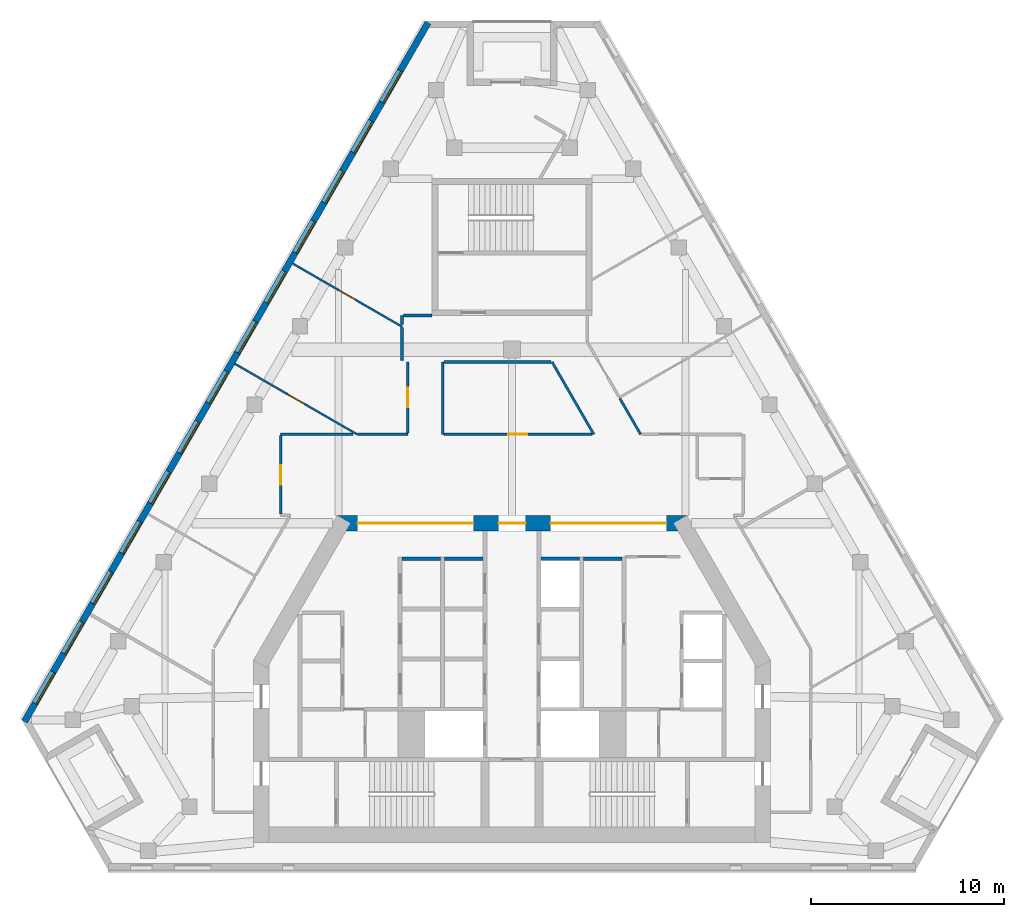
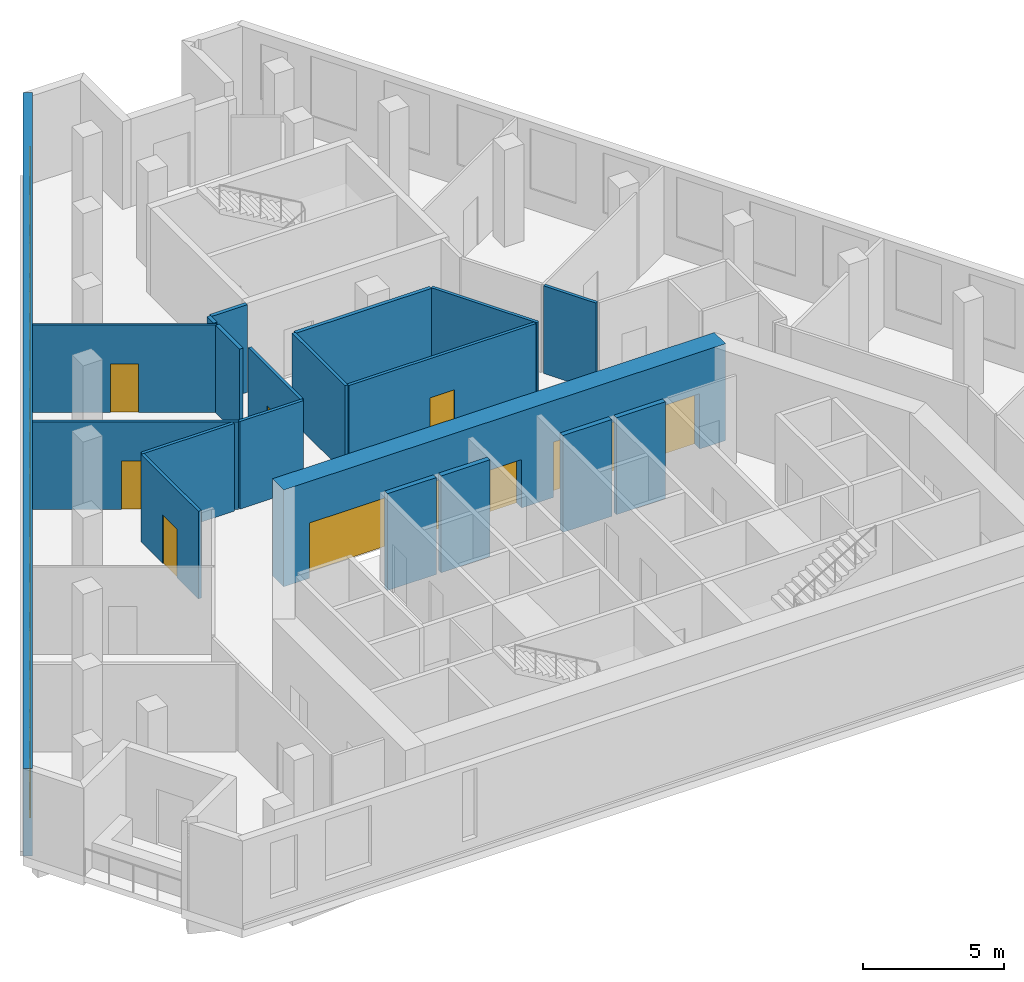
# One storey, part 4 of 9: 20 walls, 13 windows, 8 doors, 21 openings.
"""IFC4 building model written with IfcOpenShell, lengths in metres."""

from ifc_helpers import new_model, si_unit, direction, frame, frame_2d, origin, place, context, subcontext, project, spatial, rectangle, extrude, material, layer, layer_set, type_object, element, fill, save


model = new_model("IFC4")

# Units and contexts
model_context = context("Model", 3, precision=1e-05, world=origin(), true_north=direction((0.0, 1.0)))
body_context = subcontext(model_context, "Body", "Model", "MODEL_VIEW")
ifc_project = project(units=[si_unit("LENGTHUNIT", "METRE"), si_unit("AREAUNIT", "SQUARE_METRE"), si_unit("VOLUMEUNIT", "CUBIC_METRE"), si_unit("PLANEANGLEUNIT", "RADIAN"), si_unit("MASSUNIT", "GRAM", prefix="KILO")], contexts=[model_context])

# Site, building, storey
site_placement = place(None, origin())
site = spatial("IfcSite", under=ifc_project, at=site_placement, CompositionType="ELEMENT")
building_placement = place(site_placement, origin())
building = spatial("IfcBuilding", under=site, at=building_placement, Name="Fogline Exchange Tower", CompositionType="ELEMENT")
storey_placement = place(building_placement, frame((0.0, 0.0, 283.5)))
storey = spatial("IfcBuildingStorey", under=building, at=storey_placement, Name="L64", CompositionType="ELEMENT", Elevation=283.5)

# Walls
ifc_material_1 = material(Name="Concrete C40", Category="concrete")
ifc_layer_1 = layer(ifc_material_1, 0.199951171875)
ifc_layer_set_1 = layer_set([ifc_layer_1], Name="CW20S")
wall_type_1 = type_object("IfcWallType", Name="CW20S", PredefinedType="SOLIDWALL", material=ifc_layer_set_1)
for number, where, z_axis, x_axis, name in (
    (1, (-5.699951171875, 16.14990234375, -0.39990234375), (0.0, 0.0, 1.0), (1.0, 0.0, 0.0), "Lift shaft wall"),
    (2, (-3.5, 16.14990234375, -0.39990234375), (0.0, 0.0, 1.0), (1.0, 0.0, 0.0), "Lift shaft wall"),
    (3, (3.699951171875, 16.14990234375, -0.39990234375), (0.0, 0.0, 1.0), (1.0, 0.0, 0.0), "Lift shaft wall"),
    (4, (1.5, 16.14990234375, -0.39990234375), (0.0, 0.0, 1.0), (1.0, 0.0, 0.0), "Lift shaft wall"),
):
    element("IfcWall", number, at=place(storey_placement, frame(where, z_axis=z_axis, x_axis=x_axis)), inside=storey, type_object=wall_type_1, Name=name, PredefinedType="SOLIDWALL", context=body_context, shape_type="SweptSolid", body=[
        extrude(rectangle(XDim=2.0, YDim=0.199951171875, at=frame_2d((1.0, 0.0))), origin(), (0.0, 0.0, 1.0), 4.199951171875),
    ])

# Wall, openings, windows
ifc_material_2 = material(Name="Brick masonry", Category="masonry")
ifc_layer_2 = layer(ifc_material_2, 0.340087890625)
ifc_layer_set_2 = layer_set([ifc_layer_2], Name="FW1")
wall_type_2 = type_object("IfcWallType", Name="FW1", PredefinedType="SOLIDWALL", material=ifc_layer_set_2)
wall_1_placement = place(storey_placement, frame((-4.352783203125, 43.95166015625, 0.0), z_axis=(0.0, 0.0, 1.0), x_axis=(-0.499999693239, -0.866025580893, 0.0)))
wall_1 = element("IfcWall", 5, at=wall_1_placement, inside=storey, type_object=wall_type_2, Name="Brick wall L64 W", PredefinedType="SOLIDWALL", context=body_context, shape_type="SweptSolid", body=[
    extrude(rectangle(XDim=41.84912109375, YDim=0.340087890625, at=frame_2d((20.924560546875, 0.0))), origin(), (0.0, 0.0, 1.0), 3.800048828125),
])
opening_1_placement = place(wall_1_placement, frame((2.886962890625, 0.0, 0.89990234375)))
opening_1 = element("IfcOpeningElement", 6, at=opening_1_placement, cuts=wall_1, Name="Opening W3", PredefinedType="OPENING", context=body_context, shape_type="SweptSolid", body=[
    extrude(rectangle(XDim=1.885009765625, YDim=2.60009765625, at=frame_2d((0.9423828125, 1.300048828125))), frame((0.0, 0.18017578125, 0.0), z_axis=(0.0, -1.0, 0.0), x_axis=(1.0, 0.0, 0.0)), (0.0, 0.0, 1.0), 0.360107421875),
])
opening_2_placement = place(wall_1_placement, frame((5.886962890625, 0.0, 0.89990234375)))
opening_2 = element("IfcOpeningElement", 7, at=opening_2_placement, cuts=wall_1, Name="Opening W3", PredefinedType="OPENING", context=body_context, shape_type="SweptSolid", body=[
    extrude(rectangle(XDim=1.885009765625, YDim=2.60009765625, at=frame_2d((0.9423828125, 1.300048828125))), frame((0.0, 0.18017578125, 0.0), z_axis=(0.0, -1.0, 0.0), x_axis=(1.0, 0.0, 0.0)), (0.0, 0.0, 1.0), 0.360107421875),
])
opening_3_placement = place(wall_1_placement, frame((8.886962890625, 0.0, 0.89990234375)))
opening_3 = element("IfcOpeningElement", 8, at=opening_3_placement, cuts=wall_1, Name="Opening W3", PredefinedType="OPENING", context=body_context, shape_type="SweptSolid", body=[
    extrude(rectangle(XDim=1.885009765625, YDim=2.60009765625, at=frame_2d((0.9423828125, 1.300048828125))), frame((0.0, 0.18017578125, 0.0), z_axis=(0.0, -1.0, 0.0), x_axis=(1.0, 0.0, 0.0)), (0.0, 0.0, 1.0), 0.360107421875),
])
opening_4_placement = place(wall_1_placement, frame((11.886962890625, 0.0, 0.89990234375)))
opening_4 = element("IfcOpeningElement", 9, at=opening_4_placement, cuts=wall_1, Name="Opening W3", PredefinedType="OPENING", context=body_context, shape_type="SweptSolid", body=[
    extrude(rectangle(XDim=1.885009765625, YDim=2.60009765625, at=frame_2d((0.9423828125, 1.300048828125))), frame((0.0, 0.18017578125, 0.0), z_axis=(0.0, -1.0, 0.0), x_axis=(1.0, 0.0, 0.0)), (0.0, 0.0, 1.0), 0.360107421875),
])
opening_5_placement = place(wall_1_placement, frame((14.886962890625, 0.0, 0.89990234375)))
opening_5 = element("IfcOpeningElement", 10, at=opening_5_placement, cuts=wall_1, Name="Opening W3", PredefinedType="OPENING", context=body_context, shape_type="SweptSolid", body=[
    extrude(rectangle(XDim=1.885009765625, YDim=2.60009765625, at=frame_2d((0.9423828125, 1.300048828125))), frame((0.0, 0.18017578125, 0.0), z_axis=(0.0, -1.0, 0.0), x_axis=(1.0, 0.0, 0.0)), (0.0, 0.0, 1.0), 0.360107421875),
])
opening_6_placement = place(wall_1_placement, frame((17.886962890625, 0.0, 0.89990234375)))
opening_6 = element("IfcOpeningElement", 11, at=opening_6_placement, cuts=wall_1, Name="Opening W3", PredefinedType="OPENING", context=body_context, shape_type="SweptSolid", body=[
    extrude(rectangle(XDim=1.885009765625, YDim=2.60009765625, at=frame_2d((0.9423828125, 1.300048828125))), frame((0.0, 0.18017578125, 0.0), z_axis=(0.0, -1.0, 0.0), x_axis=(1.0, 0.0, 0.0)), (0.0, 0.0, 1.0), 0.360107421875),
])
opening_7_placement = place(wall_1_placement, frame((20.886962890625, 0.0, 0.89990234375)))
opening_7 = element("IfcOpeningElement", 12, at=opening_7_placement, cuts=wall_1, Name="Opening W3", PredefinedType="OPENING", context=body_context, shape_type="SweptSolid", body=[
    extrude(rectangle(XDim=1.885009765625, YDim=2.60009765625, at=frame_2d((0.9423828125, 1.300048828125))), frame((0.0, 0.18017578125, 0.0), z_axis=(0.0, -1.0, 0.0), x_axis=(1.0, 0.0, 0.0)), (0.0, 0.0, 1.0), 0.360107421875),
])
opening_8_placement = place(wall_1_placement, frame((23.886962890625, 0.0, 0.89990234375)))
opening_8 = element("IfcOpeningElement", 13, at=opening_8_placement, cuts=wall_1, Name="Opening W3", PredefinedType="OPENING", context=body_context, shape_type="SweptSolid", body=[
    extrude(rectangle(XDim=1.885009765625, YDim=2.60009765625, at=frame_2d((0.9423828125, 1.300048828125))), frame((0.0, 0.18017578125, 0.0), z_axis=(0.0, -1.0, 0.0), x_axis=(1.0, 0.0, 0.0)), (0.0, 0.0, 1.0), 0.360107421875),
])
opening_9_placement = place(wall_1_placement, frame((26.886962890625, 0.0, 0.89990234375)))
opening_9 = element("IfcOpeningElement", 14, at=opening_9_placement, cuts=wall_1, Name="Opening W3", PredefinedType="OPENING", context=body_context, shape_type="SweptSolid", body=[
    extrude(rectangle(XDim=1.885009765625, YDim=2.60009765625, at=frame_2d((0.9423828125, 1.300048828125))), frame((0.0, 0.18017578125, 0.0), z_axis=(0.0, -1.0, 0.0), x_axis=(1.0, 0.0, 0.0)), (0.0, 0.0, 1.0), 0.360107421875),
])
opening_10_placement = place(wall_1_placement, frame((29.886962890625, 0.0, 0.89990234375)))
opening_10 = element("IfcOpeningElement", 15, at=opening_10_placement, cuts=wall_1, Name="Opening W3", PredefinedType="OPENING", context=body_context, shape_type="SweptSolid", body=[
    extrude(rectangle(XDim=1.885009765625, YDim=2.60009765625, at=frame_2d((0.9423828125, 1.300048828125))), frame((0.0, 0.18017578125, 0.0), z_axis=(0.0, -1.0, 0.0), x_axis=(1.0, 0.0, 0.0)), (0.0, 0.0, 1.0), 0.360107421875),
])
opening_11_placement = place(wall_1_placement, frame((32.886962890625, 0.0, 0.89990234375)))
opening_11 = element("IfcOpeningElement", 16, at=opening_11_placement, cuts=wall_1, Name="Opening W3", PredefinedType="OPENING", context=body_context, shape_type="SweptSolid", body=[
    extrude(rectangle(XDim=1.885009765625, YDim=2.60009765625, at=frame_2d((0.9423828125, 1.300048828125))), frame((0.0, 0.18017578125, 0.0), z_axis=(0.0, -1.0, 0.0), x_axis=(1.0, 0.0, 0.0)), (0.0, 0.0, 1.0), 0.360107421875),
])
opening_12_placement = place(wall_1_placement, frame((35.886962890625, 0.0, 0.89990234375)))
opening_12 = element("IfcOpeningElement", 17, at=opening_12_placement, cuts=wall_1, Name="Opening W3", PredefinedType="OPENING", context=body_context, shape_type="SweptSolid", body=[
    extrude(rectangle(XDim=1.885009765625, YDim=2.60009765625, at=frame_2d((0.9423828125, 1.300048828125))), frame((0.0, 0.18017578125, 0.0), z_axis=(0.0, -1.0, 0.0), x_axis=(1.0, 0.0, 0.0)), (0.0, 0.0, 1.0), 0.360107421875),
])
opening_13_placement = place(wall_1_placement, frame((38.886962890625, 0.0, 0.89990234375)))
opening_13 = element("IfcOpeningElement", 18, at=opening_13_placement, cuts=wall_1, Name="Opening W3", PredefinedType="OPENING", context=body_context, shape_type="SweptSolid", body=[
    extrude(rectangle(XDim=1.885009765625, YDim=2.60009765625, at=frame_2d((0.9423828125, 1.300048828125))), frame((0.0, 0.18017578125, 0.0), z_axis=(0.0, -1.0, 0.0), x_axis=(1.0, 0.0, 0.0)), (0.0, 0.0, 1.0), 0.360107421875),
])
ifc_material_3 = material(Name="Aluminium and glass", Category="aluminium")
window_type = type_object("IfcWindowType", Name="W3", PartitioningType="SINGLE_PANEL", PredefinedType="WINDOW", material=ifc_material_3)
window_1_placement = place(opening_1_placement, origin())
window_1 = element("IfcWindow", 19, at=window_1_placement, inside=storey, type_object=window_type, Name="W3 W3", OverallHeight=2.60009765625, OverallWidth=1.885009765625, PartitioningType="SINGLE_PANEL", PredefinedType="WINDOW", context=body_context, shape_type="SweptSolid", body=[
    extrude(rectangle(XDim=1.885009765625, YDim=2.60009765625, at=frame_2d((0.9423828125, 1.300048828125))), frame((0.0, 0.110107421875, 0.0), z_axis=(0.0, -1.0, 0.0), x_axis=(1.0, 0.0, 0.0)), (0.0, 0.0, 1.0), 0.06005859375),
])
fill(opening_1, window_1)
window_2_placement = place(opening_2_placement, origin())
window_2 = element("IfcWindow", 20, at=window_2_placement, inside=storey, type_object=window_type, Name="W3 W3", OverallHeight=2.60009765625, OverallWidth=1.885009765625, PartitioningType="SINGLE_PANEL", PredefinedType="WINDOW", context=body_context, shape_type="SweptSolid", body=[
    extrude(rectangle(XDim=1.885009765625, YDim=2.60009765625, at=frame_2d((0.9423828125, 1.300048828125))), frame((0.0, 0.110107421875, 0.0), z_axis=(0.0, -1.0, 0.0), x_axis=(1.0, 0.0, 0.0)), (0.0, 0.0, 1.0), 0.06005859375),
])
fill(opening_2, window_2)
window_3_placement = place(opening_3_placement, origin())
window_3 = element("IfcWindow", 21, at=window_3_placement, inside=storey, type_object=window_type, Name="W3 W3", OverallHeight=2.60009765625, OverallWidth=1.885009765625, PartitioningType="SINGLE_PANEL", PredefinedType="WINDOW", context=body_context, shape_type="SweptSolid", body=[
    extrude(rectangle(XDim=1.885009765625, YDim=2.60009765625, at=frame_2d((0.9423828125, 1.300048828125))), frame((0.0, 0.110107421875, 0.0), z_axis=(0.0, -1.0, 0.0), x_axis=(1.0, 0.0, 0.0)), (0.0, 0.0, 1.0), 0.06005859375),
])
fill(opening_3, window_3)
window_4_placement = place(opening_4_placement, origin())
window_4 = element("IfcWindow", 22, at=window_4_placement, inside=storey, type_object=window_type, Name="W3 W3", OverallHeight=2.60009765625, OverallWidth=1.885009765625, PartitioningType="SINGLE_PANEL", PredefinedType="WINDOW", context=body_context, shape_type="SweptSolid", body=[
    extrude(rectangle(XDim=1.885009765625, YDim=2.60009765625, at=frame_2d((0.9423828125, 1.300048828125))), frame((0.0, 0.110107421875, 0.0), z_axis=(0.0, -1.0, 0.0), x_axis=(1.0, 0.0, 0.0)), (0.0, 0.0, 1.0), 0.06005859375),
])
fill(opening_4, window_4)
window_5_placement = place(opening_5_placement, origin())
window_5 = element("IfcWindow", 23, at=window_5_placement, inside=storey, type_object=window_type, Name="W3 W3", OverallHeight=2.60009765625, OverallWidth=1.885009765625, PartitioningType="SINGLE_PANEL", PredefinedType="WINDOW", context=body_context, shape_type="SweptSolid", body=[
    extrude(rectangle(XDim=1.885009765625, YDim=2.60009765625, at=frame_2d((0.9423828125, 1.300048828125))), frame((0.0, 0.110107421875, 0.0), z_axis=(0.0, -1.0, 0.0), x_axis=(1.0, 0.0, 0.0)), (0.0, 0.0, 1.0), 0.06005859375),
])
fill(opening_5, window_5)
window_6_placement = place(opening_6_placement, origin())
window_6 = element("IfcWindow", 24, at=window_6_placement, inside=storey, type_object=window_type, Name="W3 W3", OverallHeight=2.60009765625, OverallWidth=1.885009765625, PartitioningType="SINGLE_PANEL", PredefinedType="WINDOW", context=body_context, shape_type="SweptSolid", body=[
    extrude(rectangle(XDim=1.885009765625, YDim=2.60009765625, at=frame_2d((0.9423828125, 1.300048828125))), frame((0.0, 0.110107421875, 0.0), z_axis=(0.0, -1.0, 0.0), x_axis=(1.0, 0.0, 0.0)), (0.0, 0.0, 1.0), 0.06005859375),
])
fill(opening_6, window_6)
window_7_placement = place(opening_7_placement, origin())
window_7 = element("IfcWindow", 25, at=window_7_placement, inside=storey, type_object=window_type, Name="W3 W3", OverallHeight=2.60009765625, OverallWidth=1.885009765625, PartitioningType="SINGLE_PANEL", PredefinedType="WINDOW", context=body_context, shape_type="SweptSolid", body=[
    extrude(rectangle(XDim=1.885009765625, YDim=2.60009765625, at=frame_2d((0.9423828125, 1.300048828125))), frame((0.0, 0.110107421875, 0.0), z_axis=(0.0, -1.0, 0.0), x_axis=(1.0, 0.0, 0.0)), (0.0, 0.0, 1.0), 0.06005859375),
])
fill(opening_7, window_7)
window_8_placement = place(opening_8_placement, origin())
window_8 = element("IfcWindow", 26, at=window_8_placement, inside=storey, type_object=window_type, Name="W3 W3", OverallHeight=2.60009765625, OverallWidth=1.885009765625, PartitioningType="SINGLE_PANEL", PredefinedType="WINDOW", context=body_context, shape_type="SweptSolid", body=[
    extrude(rectangle(XDim=1.885009765625, YDim=2.60009765625, at=frame_2d((0.9423828125, 1.300048828125))), frame((0.0, 0.110107421875, 0.0), z_axis=(0.0, -1.0, 0.0), x_axis=(1.0, 0.0, 0.0)), (0.0, 0.0, 1.0), 0.06005859375),
])
fill(opening_8, window_8)
window_9_placement = place(opening_9_placement, origin())
window_9 = element("IfcWindow", 27, at=window_9_placement, inside=storey, type_object=window_type, Name="W3 W3", OverallHeight=2.60009765625, OverallWidth=1.885009765625, PartitioningType="SINGLE_PANEL", PredefinedType="WINDOW", context=body_context, shape_type="SweptSolid", body=[
    extrude(rectangle(XDim=1.885009765625, YDim=2.60009765625, at=frame_2d((0.9423828125, 1.300048828125))), frame((0.0, 0.110107421875, 0.0), z_axis=(0.0, -1.0, 0.0), x_axis=(1.0, 0.0, 0.0)), (0.0, 0.0, 1.0), 0.06005859375),
])
fill(opening_9, window_9)
window_10_placement = place(opening_10_placement, origin())
window_10 = element("IfcWindow", 28, at=window_10_placement, inside=storey, type_object=window_type, Name="W3 W3", OverallHeight=2.60009765625, OverallWidth=1.885009765625, PartitioningType="SINGLE_PANEL", PredefinedType="WINDOW", context=body_context, shape_type="SweptSolid", body=[
    extrude(rectangle(XDim=1.885009765625, YDim=2.60009765625, at=frame_2d((0.9423828125, 1.300048828125))), frame((0.0, 0.110107421875, 0.0), z_axis=(0.0, -1.0, 0.0), x_axis=(1.0, 0.0, 0.0)), (0.0, 0.0, 1.0), 0.06005859375),
])
fill(opening_10, window_10)
window_11_placement = place(opening_11_placement, origin())
window_11 = element("IfcWindow", 29, at=window_11_placement, inside=storey, type_object=window_type, Name="W3 W3", OverallHeight=2.60009765625, OverallWidth=1.885009765625, PartitioningType="SINGLE_PANEL", PredefinedType="WINDOW", context=body_context, shape_type="SweptSolid", body=[
    extrude(rectangle(XDim=1.885009765625, YDim=2.60009765625, at=frame_2d((0.9423828125, 1.300048828125))), frame((0.0, 0.110107421875, 0.0), z_axis=(0.0, -1.0, 0.0), x_axis=(1.0, 0.0, 0.0)), (0.0, 0.0, 1.0), 0.06005859375),
])
fill(opening_11, window_11)
window_12_placement = place(opening_12_placement, origin())
window_12 = element("IfcWindow", 30, at=window_12_placement, inside=storey, type_object=window_type, Name="W3 W3", OverallHeight=2.60009765625, OverallWidth=1.885009765625, PartitioningType="SINGLE_PANEL", PredefinedType="WINDOW", context=body_context, shape_type="SweptSolid", body=[
    extrude(rectangle(XDim=1.885009765625, YDim=2.60009765625, at=frame_2d((0.9423828125, 1.300048828125))), frame((0.0, 0.110107421875, 0.0), z_axis=(0.0, -1.0, 0.0), x_axis=(1.0, 0.0, 0.0)), (0.0, 0.0, 1.0), 0.06005859375),
])
fill(opening_12, window_12)
window_13_placement = place(opening_13_placement, origin())
window_13 = element("IfcWindow", 31, at=window_13_placement, inside=storey, type_object=window_type, Name="W3 W3", OverallHeight=2.60009765625, OverallWidth=1.885009765625, PartitioningType="SINGLE_PANEL", PredefinedType="WINDOW", context=body_context, shape_type="SweptSolid", body=[
    extrude(rectangle(XDim=1.885009765625, YDim=2.60009765625, at=frame_2d((0.9423828125, 1.300048828125))), frame((0.0, 0.110107421875, 0.0), z_axis=(0.0, -1.0, 0.0), x_axis=(1.0, 0.0, 0.0)), (0.0, 0.0, 1.0), 0.06005859375),
])
fill(opening_13, window_13)

# Wall, opening, door
ifc_material_4 = material(Name="Plasterboard partition, 2 layers each side on steel studs", Category="steel")
ifc_layer_3 = layer(ifc_material_4, 0.10009765625)
ifc_layer_set_3 = layer_set([ifc_layer_3], Name="PW1")
wall_type_3 = type_object("IfcWallType", Name="PW1", PredefinedType="PARTITIONING", material=ifc_layer_set_3)
wall_2_placement = place(storey_placement, frame((-5.699951171875, 28.183349609375, 0.0), z_axis=(0.0, 0.0, 1.0), x_axis=(-0.86602475796, 0.5000011186, 0.0)))
wall_2 = element("IfcWall", 32, at=wall_2_placement, inside=storey, type_object=wall_type_3, Name="wall-L64-W041", PredefinedType="PARTITIONING", context=body_context, shape_type="SweptSolid", body=[
    extrude(rectangle(XDim=6.54736328125, YDim=0.10009765625, at=frame_2d((3.273681640625, 0.0))), origin(), (0.0, 0.0, 1.0), 3.800048828125),
])
opening_14_placement = place(wall_2_placement, frame((2.773681640625, 0.0, 0.0)))
opening_14 = element("IfcOpeningElement", 33, at=opening_14_placement, cuts=wall_2, Name="Opening T20-D013", PredefinedType="OPENING", context=body_context, shape_type="SweptSolid", body=[
    extrude(rectangle(XDim=1.0, YDim=2.10009765625, at=frame_2d((0.5, 1.050048828125))), frame((0.0, 0.06005859375, 0.0), z_axis=(0.0, -1.0, 0.0), x_axis=(1.0, 0.0, 0.0)), (0.0, 0.0, 1.0), 0.1201171875),
])
ifc_material_5 = material(Name="Timber door leaf with steel frame", Category="steel")
door_type_1 = type_object("IfcDoorType", Name="D1", OperationType="SINGLE_SWING_LEFT", PredefinedType="DOOR", material=ifc_material_5)
door_1_placement = place(opening_14_placement, origin())
door_1 = element("IfcDoor", 34, at=door_1_placement, inside=storey, type_object=door_type_1, Name="door-L64-D013", OperationType="SINGLE_SWING_LEFT", OverallHeight=2.10009765625, OverallWidth=1.0, PredefinedType="DOOR", context=body_context, shape_type="SweptSolid", body=[
    extrude(rectangle(XDim=1.0, YDim=2.10009765625, at=frame_2d((0.5, 1.050048828125))), frame((0.0, 0.02490234375, 0.0), z_axis=(0.0, -1.0, 0.0), x_axis=(1.0, 0.0, 0.0)), (0.0, 0.0, 1.0), 0.050048828125),
])
fill(opening_14, door_1)

wall_3_placement = place(storey_placement, frame((-8.029296875, 22.60009765625, 0.0), z_axis=(0.0, 0.0, 1.0), x_axis=(-0.866024554669, 0.500001470709, 0.0)))
wall_3 = element("IfcWall", 35, at=wall_3_placement, inside=storey, type_object=wall_type_3, Name="wall-L64-W042", PredefinedType="PARTITIONING", context=body_context, shape_type="SweptSolid", body=[
    extrude(rectangle(XDim=7.32177734375, YDim=0.10009765625, at=frame_2d((3.660888671875, 0.0))), origin(), (0.0, 0.0, 1.0), 3.800048828125),
])
opening_15_placement = place(wall_3_placement, frame((3.160888671875, 0.0, 0.0)))
opening_15 = element("IfcOpeningElement", 36, at=opening_15_placement, cuts=wall_3, Name="Opening T20-D014", PredefinedType="OPENING", context=body_context, shape_type="SweptSolid", body=[
    extrude(rectangle(XDim=1.0, YDim=2.10009765625, at=frame_2d((0.5, 1.050048828125))), frame((0.0, 0.06005859375, 0.0), z_axis=(0.0, -1.0, 0.0), x_axis=(1.0, 0.0, 0.0)), (0.0, 0.0, 1.0), 0.1201171875),
])
door_2_placement = place(opening_15_placement, frame((1.0, 0.0, 0.0), z_axis=(0.0, 0.0, 1.0), x_axis=(-1.0, 0.0, 0.0)))
door_2 = element("IfcDoor", 37, at=door_2_placement, inside=storey, type_object=door_type_1, Name="door-L64-D014", OperationType="SINGLE_SWING_LEFT", OverallHeight=2.10009765625, OverallWidth=1.0, PredefinedType="DOOR", context=body_context, shape_type="SweptSolid", body=[
    extrude(rectangle(XDim=1.0, YDim=2.10009765625, at=frame_2d((0.5, 1.050048828125))), frame((0.0, 0.02490234375, 0.0), z_axis=(0.0, -1.0, 0.0), x_axis=(1.0, 0.0, 0.0)), (0.0, 0.0, 1.0), 0.050048828125),
])
fill(opening_15, door_2)

ifc_material_6 = material(Name="Plasterboard corridor partition with mineral wool, 2 layers each side")
ifc_layer_4 = layer(ifc_material_6, 0.125)
ifc_layer_set_4 = layer_set([ifc_layer_4], Name="PW2")
wall_type_4 = type_object("IfcWallType", Name="PW2", PredefinedType="PARTITIONING", material=ifc_layer_set_4)
wall_4_placement = place(storey_placement, frame((-3.53759765625, 22.60009765625, 0.0), z_axis=(0.0, 0.0, 1.0), x_axis=(1.0, 0.0, 0.0)))
wall_4 = element("IfcWall", 38, at=wall_4_placement, inside=storey, type_object=wall_type_4, Name="wall-L64-W011", PredefinedType="PARTITIONING", context=body_context, shape_type="SweptSolid", body=[
    extrude(rectangle(XDim=7.6728515625, YDim=0.125, at=frame_2d((3.83642578125, 0.0))), origin(), (0.0, 0.0, 1.0), 3.800048828125),
])
opening_16_placement = place(wall_4_placement, frame((3.33642578125, 0.0, 0.0)))
opening_16 = element("IfcOpeningElement", 39, at=opening_16_placement, cuts=wall_4, Name="Opening T20-D005", PredefinedType="OPENING", context=body_context, shape_type="SweptSolid", body=[
    extrude(rectangle(XDim=1.0, YDim=2.10009765625, at=frame_2d((0.5, 1.050048828125))), frame((0.0, 0.072509765625, 0.0), z_axis=(0.0, -1.0, 0.0), x_axis=(1.0, 0.0, 0.0)), (0.0, 0.0, 1.0), 0.14501953125),
])
ifc_material_7 = material(Name="Fire-rated timber door leaf with steel frame", Category="steel")
door_type_2 = type_object("IfcDoorType", Name="D3", OperationType="SINGLE_SWING_LEFT", PredefinedType="DOOR", material=ifc_material_7)
door_3_placement = place(opening_16_placement, origin())
door_3 = element("IfcDoor", 40, at=door_3_placement, inside=storey, type_object=door_type_2, Name="door-L64-D005", OperationType="SINGLE_SWING_LEFT", OverallHeight=2.10009765625, OverallWidth=1.0, PredefinedType="DOOR", context=body_context, shape_type="SweptSolid", body=[
    extrude(rectangle(XDim=1.0, YDim=2.10009765625, at=frame_2d((0.5, 1.050048828125))), frame((0.0, 0.02490234375, 0.0), z_axis=(0.0, -1.0, 0.0), x_axis=(1.0, 0.0, 0.0)), (0.0, 0.0, 1.0), 0.050048828125),
])
fill(opening_16, door_3)

# Wall
wall_5_placement = place(storey_placement, frame((-8.00390625, 22.60009765625, 0.0), z_axis=(0.0, 0.0, 1.0), x_axis=(1.0, 0.0, 0.0)))
element("IfcWall", 41, at=wall_5_placement, inside=storey, type_object=wall_type_4, Name="wall-L64-W012", PredefinedType="PARTITIONING", context=body_context, shape_type="SweptSolid", body=[
    extrude(rectangle(XDim=2.60400390625, YDim=0.125, at=frame_2d((1.302001953125, 0.0))), origin(), (0.0, 0.0, 1.0), 3.800048828125),
])

# Wall, opening, door
wall_6_placement = place(storey_placement, frame((-12.0, 18.46240234375, 0.0), z_axis=(0.0, 0.0, 1.0), x_axis=(0.0, 1.0, 0.0)))
wall_6 = element("IfcWall", 42, at=wall_6_placement, inside=storey, type_object=wall_type_4, Name="wall-L64-W014", PredefinedType="PARTITIONING", context=body_context, shape_type="SweptSolid", body=[
    extrude(rectangle(XDim=4.0751953125, YDim=0.125, at=frame_2d((2.03759765625, 0.0))), origin(), (0.0, 0.0, 1.0), 3.800048828125),
])
opening_17_placement = place(wall_6_placement, frame((1.53759765625, 0.0, 0.0)))
opening_17 = element("IfcOpeningElement", 43, at=opening_17_placement, cuts=wall_6, Name="Opening T20-D006", PredefinedType="OPENING", context=body_context, shape_type="SweptSolid", body=[
    extrude(rectangle(XDim=1.0, YDim=2.10009765625, at=frame_2d((0.5, 1.050048828125))), frame((0.0, 0.072509765625, 0.0), z_axis=(0.0, -1.0, 0.0), x_axis=(1.0, 0.0, 0.0)), (0.0, 0.0, 1.0), 0.14501953125),
])
door_4_placement = place(opening_17_placement, origin())
door_4 = element("IfcDoor", 44, at=door_4_placement, inside=storey, type_object=door_type_2, Name="door-L64-D006", OperationType="SINGLE_SWING_LEFT", OverallHeight=2.10009765625, OverallWidth=1.0, PredefinedType="DOOR", context=body_context, shape_type="SweptSolid", body=[
    extrude(rectangle(XDim=1.0, YDim=2.10009765625, at=frame_2d((0.5, 1.050048828125))), frame((0.0, 0.02490234375, 0.0), z_axis=(0.0, -1.0, 0.0), x_axis=(1.0, 0.0, 0.0)), (0.0, 0.0, 1.0), 0.050048828125),
])
fill(opening_17, door_4)

# Walls
wall_7_placement = place(storey_placement, frame((-12.0, 22.60009765625, 0.0), z_axis=(0.0, 0.0, 1.0), x_axis=(1.0, 0.0, 0.0)))
element("IfcWall", 45, at=wall_7_placement, inside=storey, type_object=wall_type_4, Name="wall-L64-W015", PredefinedType="PARTITIONING", context=body_context, shape_type="SweptSolid", body=[
    extrude(rectangle(XDim=3.761962890625, YDim=0.125, at=frame_2d((1.880859375, 0.0))), origin(), (0.0, 0.0, 1.0), 3.800048828125),
])
wall_8_placement = place(storey_placement, frame((-3.60009765625, 26.35693359375, 0.0), z_axis=(0.0, 0.0, 1.0), x_axis=(0.0, -1.0, 0.0)))
element("IfcWall", 46, at=wall_8_placement, inside=storey, type_object=wall_type_4, Name="wall-L64-W026", PredefinedType="PARTITIONING", context=body_context, shape_type="SweptSolid", body=[
    extrude(rectangle(XDim=3.7568359375, YDim=0.125, at=frame_2d((1.87841796875, 0.0))), origin(), (0.0, 0.0, 1.0), 3.800048828125),
])

# Wall, opening, door
wall_9_placement = place(storey_placement, frame((-5.39990234375, 22.66259765625, 0.0), z_axis=(0.0, 0.0, 1.0), x_axis=(0.0, 1.0, 0.0)))
wall_9 = element("IfcWall", 47, at=wall_9_placement, inside=storey, type_object=wall_type_4, Name="wall-L64-W027", PredefinedType="PARTITIONING", context=body_context, shape_type="SweptSolid", body=[
    extrude(rectangle(XDim=3.6943359375, YDim=0.125, at=frame_2d((1.84716796875, 0.0))), origin(), (0.0, 0.0, 1.0), 3.800048828125),
])
opening_18_placement = place(wall_9_placement, frame((1.34716796875, 0.0, 0.0)))
opening_18 = element("IfcOpeningElement", 48, at=opening_18_placement, cuts=wall_9, Name="Opening T20-D009", PredefinedType="OPENING", context=body_context, shape_type="SweptSolid", body=[
    extrude(rectangle(XDim=1.0, YDim=2.10009765625, at=frame_2d((0.5, 1.050048828125))), frame((0.0, 0.072509765625, 0.0), z_axis=(0.0, -1.0, 0.0), x_axis=(1.0, 0.0, 0.0)), (0.0, 0.0, 1.0), 0.14501953125),
])
door_5_placement = place(opening_18_placement, origin())
door_5 = element("IfcDoor", 49, at=door_5_placement, inside=storey, type_object=door_type_2, Name="door-L64-D009", OperationType="SINGLE_SWING_LEFT", OverallHeight=2.10009765625, OverallWidth=1.0, PredefinedType="DOOR", context=body_context, shape_type="SweptSolid", body=[
    extrude(rectangle(XDim=1.0, YDim=2.10009765625, at=frame_2d((0.5, 1.050048828125))), frame((0.0, 0.02490234375, 0.0), z_axis=(0.0, -1.0, 0.0), x_axis=(1.0, 0.0, 0.0)), (0.0, 0.0, 1.0), 0.050048828125),
])
fill(opening_18, door_5)

# Walls
wall_10_placement = place(storey_placement, frame((5.591796875, 24.4658203125, 0.0), z_axis=(0.0, 0.0, 1.0), x_axis=(0.499990586292, -0.866030838723, 0.0)))
element("IfcWall", 50, at=wall_10_placement, inside=storey, type_object=wall_type_4, Name="wall-L64-W028", PredefinedType="PARTITIONING", context=body_context, shape_type="SweptSolid", body=[
    extrude(rectangle(XDim=2.154296875, YDim=0.125, at=frame_2d((1.0771484375, 0.0))), origin(), (0.0, 0.0, 1.0), 3.800048828125),
])
wall_11_placement = place(storey_placement, frame((4.243896484375, 22.60009765625, 0.0), z_axis=(0.0, 0.0, 1.0), x_axis=(-0.499988774596, 0.866031884678, 0.0)))
element("IfcWall", 51, at=wall_11_placement, inside=storey, type_object=wall_type_4, Name="wall-L64-W030", PredefinedType="PARTITIONING", context=body_context, shape_type="SweptSolid", body=[
    extrude(rectangle(XDim=4.337890625, YDim=0.125, at=frame_2d((2.1689453125, 0.0))), origin(), (0.0, 0.0, 1.0), 3.800048828125),
])
ifc_material_8 = material(Name="Plasterboard stair lobby partition, 3 layers each side on steel studs", Category="steel")
ifc_layer_5 = layer(ifc_material_8, 0.14990234375)
ifc_layer_set_5 = layer_set([ifc_layer_5], Name="PW4")
wall_type_5 = type_object("IfcWallType", Name="PW4", PredefinedType="PARTITIONING", material=ifc_layer_set_5)
wall_12_placement = place(storey_placement, frame((2.02099609375, 26.35693359375, 0.0), z_axis=(0.0, 0.0, 1.0), x_axis=(-1.0, 0.0, 0.0)))
element("IfcWall", 52, at=wall_12_placement, inside=storey, type_object=wall_type_5, Name="wall-L64-W022", PredefinedType="PARTITIONING", context=body_context, shape_type="SweptSolid", body=[
    extrude(rectangle(XDim=5.55859375, YDim=0.14990234375, at=frame_2d((2.779296875, 0.0))), origin(), (0.0, 0.0, 1.0), 3.800048828125),
])
wall_13_placement = place(storey_placement, frame((-5.699951171875, 28.284912109375, 0.0), z_axis=(0.0, 0.0, 1.0), x_axis=(0.0, 1.0, 0.0)))
element("IfcWall", 53, at=wall_13_placement, inside=storey, type_object=wall_type_5, Name="wall-L64-W023", PredefinedType="PARTITIONING", context=body_context, shape_type="SweptSolid", body=[
    extrude(rectangle(XDim=0.47216796875, YDim=0.14990234375, at=frame_2d((0.236083984375, 0.0))), origin(), (0.0, 0.0, 1.0), 3.800048828125),
])
wall_14_placement = place(storey_placement, frame((-5.625, 28.757080078125, 0.0), z_axis=(0.0, 0.0, 1.0), x_axis=(1.0, 0.0, 0.0)))
element("IfcWall", 54, at=wall_14_placement, inside=storey, type_object=wall_type_5, Name="wall-L64-W024", PredefinedType="PARTITIONING", context=body_context, shape_type="SweptSolid", body=[
    extrude(rectangle(XDim=1.47509765625, YDim=0.14990234375, at=frame_2d((0.737548828125, 0.0))), origin(), (0.0, 0.0, 1.0), 3.800048828125),
])
wall_15_placement = place(storey_placement, frame((-5.699951171875, 26.431884765625, 0.0), z_axis=(0.0, 0.0, 1.0), x_axis=(0.0, 1.0, 0.0)))
element("IfcWall", 55, at=wall_15_placement, inside=storey, type_object=wall_type_5, Name="wall-L64-W025", PredefinedType="PARTITIONING", context=body_context, shape_type="SweptSolid", body=[
    extrude(rectangle(XDim=1.707763671875, YDim=0.14990234375, at=frame_2d((0.85400390625, 0.0))), origin(), (0.0, 0.0, 1.0), 3.800048828125),
])

# Wall, openings, doors
ifc_material_9 = material(Name="Concrete C50", Category="concrete")
ifc_layer_6 = layer(ifc_material_9, 0.800048828125)
ifc_layer_set_6 = layer_set([ifc_layer_6], Name="SW04")
wall_type_6 = type_object("IfcWallType", Name="SW04", PredefinedType="SHEAR", material=ifc_layer_set_6)
wall_16_placement = place(storey_placement, frame((9.065185546875, 18.0, 0.0), z_axis=(0.0, 0.0, 1.0), x_axis=(-1.0, 0.0, 0.0)))
wall_16 = element("IfcWall", 56, at=wall_16_placement, inside=storey, type_object=wall_type_6, Name="L64-W904", PredefinedType="SHEAR", context=body_context, shape_type="SweptSolid", body=[
    extrude(rectangle(XDim=18.13037109375, YDim=0.800048828125, at=frame_2d((9.065185546875, 0.0))), origin(), (0.0, 0.0, 1.0), 4.199951171875),
])
opening_19_placement = place(wall_16_placement, frame((8.364990234375, 0.0, 0.0)))
opening_19 = element("IfcOpeningElement", 57, at=opening_19_placement, cuts=wall_16, Name="Opening T20-C023", PredefinedType="OPENING", context=body_context, shape_type="SweptSolid", body=[
    extrude(rectangle(XDim=1.39990234375, YDim=2.10009765625, at=frame_2d((0.699951171875, 1.050048828125))), frame((0.0, 0.41015625, 0.0), z_axis=(0.0, -1.0, 0.0), x_axis=(1.0, 0.0, 0.0)), (0.0, 0.0, 1.0), 0.820068359375),
])
opening_20_placement = place(wall_16_placement, frame((11.065185546875, 0.0, 0.0)))
opening_20 = element("IfcOpeningElement", 58, at=opening_20_placement, cuts=wall_16, Name="Opening T20-C024", PredefinedType="OPENING", context=body_context, shape_type="SweptSolid", body=[
    extrude(rectangle(XDim=6.0, YDim=2.39990234375, at=frame_2d((3.0, 1.199951171875))), frame((0.0, 0.41015625, 0.0), z_axis=(0.0, -1.0, 0.0), x_axis=(1.0, 0.0, 0.0)), (0.0, 0.0, 1.0), 0.820068359375),
])
opening_21_placement = place(wall_16_placement, frame((1.065185546875, 0.0, 0.0)))
opening_21 = element("IfcOpeningElement", 59, at=opening_21_placement, cuts=wall_16, Name="Opening T20-C025", PredefinedType="OPENING", context=body_context, shape_type="SweptSolid", body=[
    extrude(rectangle(XDim=6.0, YDim=2.39990234375, at=frame_2d((3.0, 1.199951171875))), frame((0.0, 0.41015625, 0.0), z_axis=(0.0, -1.0, 0.0), x_axis=(1.0, 0.0, 0.0)), (0.0, 0.0, 1.0), 0.820068359375),
])
ifc_material_10 = material(Name="Steel and timber fire door", Category="steel")
door_type_3 = type_object("IfcDoorType", Name="D-LB1", OperationType="DOUBLE_DOOR_SINGLE_SWING", PredefinedType="DOOR", material=ifc_material_10)
door_6_placement = place(opening_19_placement, origin())
door_6 = element("IfcDoor", 60, at=door_6_placement, inside=storey, type_object=door_type_3, Name="Protected lobby door", OperationType="DOUBLE_DOOR_SINGLE_SWING", OverallHeight=2.10009765625, OverallWidth=1.39990234375, PredefinedType="DOOR", context=body_context, shape_type="SweptSolid", body=[
    extrude(rectangle(XDim=1.39990234375, YDim=2.10009765625, at=frame_2d((0.699951171875, 1.050048828125))), frame((0.0, 0.02490234375, 0.0), z_axis=(0.0, -1.0, 0.0), x_axis=(1.0, 0.0, 0.0)), (0.0, 0.0, 1.0), 0.050048828125),
])
fill(opening_19, door_6)
door_type_4 = type_object("IfcDoorType", Name="D-LE1", OperationType="DOUBLE_DOOR_SLIDING", PredefinedType="DOOR", material=ifc_material_10)
door_7_placement = place(opening_20_placement, origin())
door_7 = element("IfcDoor", 61, at=door_7_placement, inside=storey, type_object=door_type_4, Name="Lift lobby entrance west", OperationType="DOUBLE_DOOR_SLIDING", OverallHeight=2.39990234375, OverallWidth=6.0, PredefinedType="DOOR", context=body_context, shape_type="SweptSolid", body=[
    extrude(rectangle(XDim=6.0, YDim=2.39990234375, at=frame_2d((3.0, 1.199951171875))), frame((0.0, 0.02490234375, 0.0), z_axis=(0.0, -1.0, 0.0), x_axis=(1.0, 0.0, 0.0)), (0.0, 0.0, 1.0), 0.050048828125),
])
fill(opening_20, door_7)
door_8_placement = place(opening_21_placement, origin())
door_8 = element("IfcDoor", 62, at=door_8_placement, inside=storey, type_object=door_type_4, Name="Lift lobby entrance east", OperationType="DOUBLE_DOOR_SLIDING", OverallHeight=2.39990234375, OverallWidth=6.0, PredefinedType="DOOR", context=body_context, shape_type="SweptSolid", body=[
    extrude(rectangle(XDim=6.0, YDim=2.39990234375, at=frame_2d((3.0, 1.199951171875))), frame((0.0, 0.02490234375, 0.0), z_axis=(0.0, -1.0, 0.0), x_axis=(1.0, 0.0, 0.0)), (0.0, 0.0, 1.0), 0.050048828125),
])
fill(opening_21, door_8)

save(model, "model.ifc")
